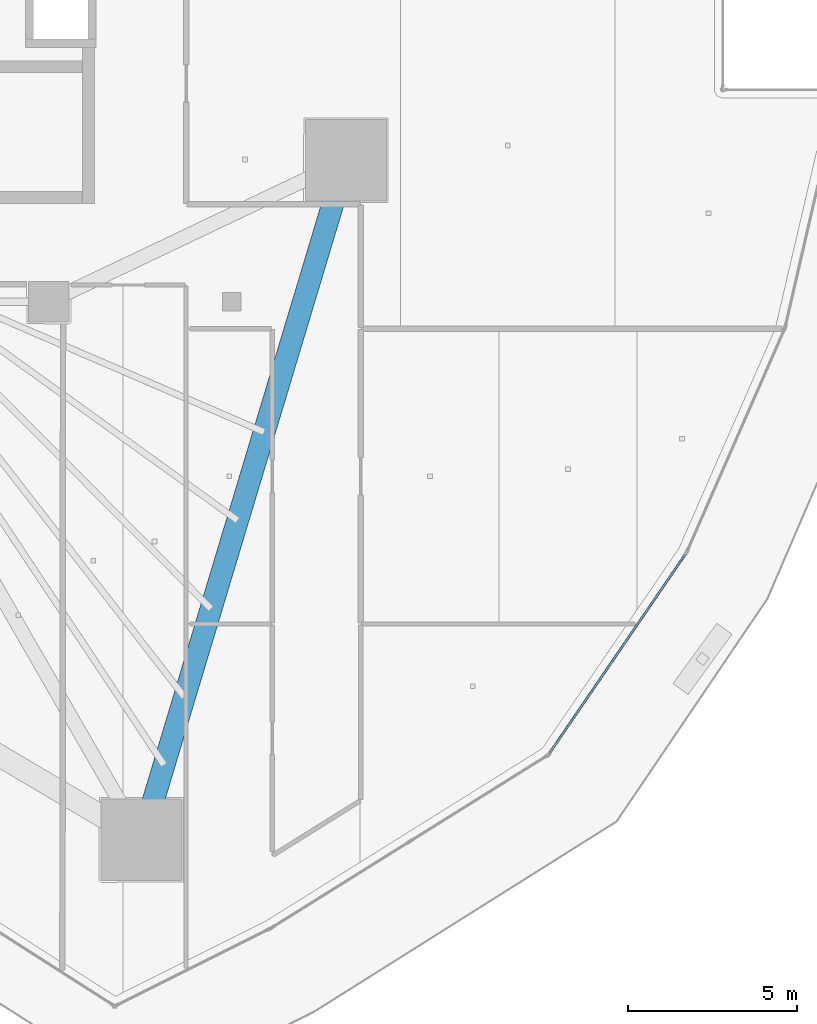
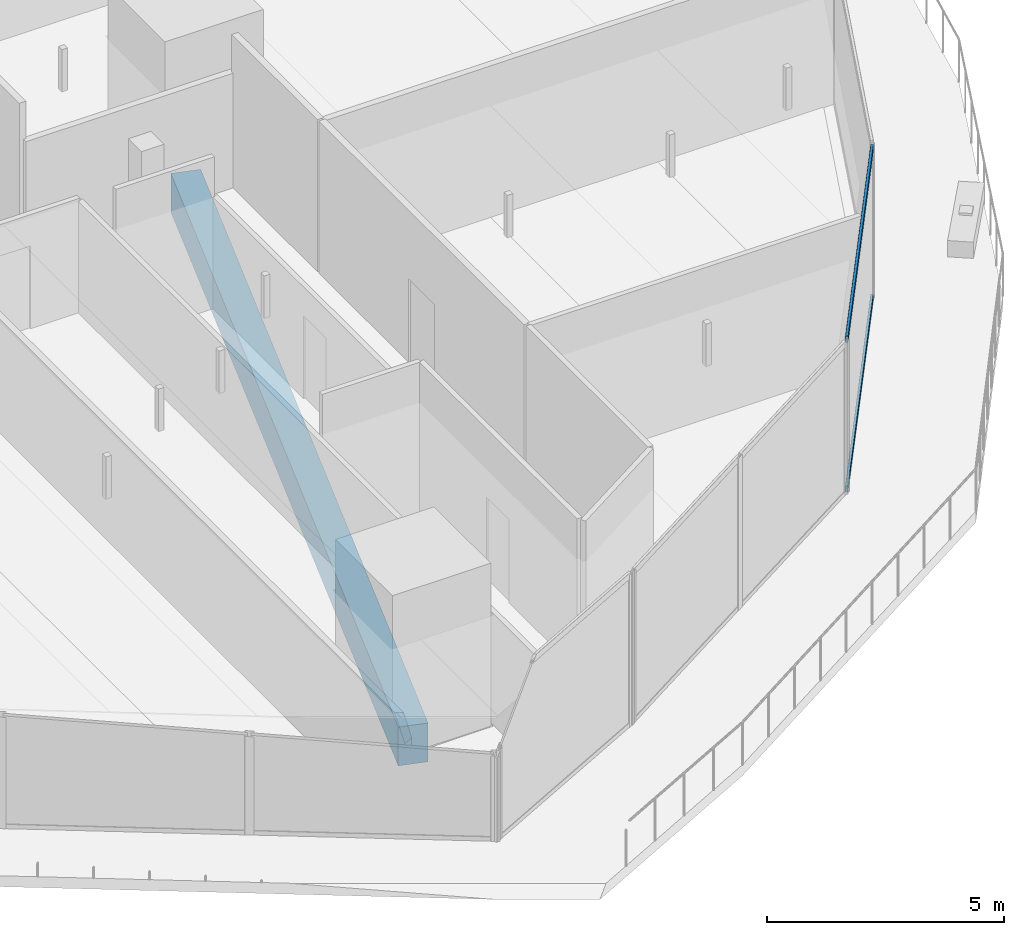
# One storey, part 9 of 44: 2 members, 1 beam, 1 element without a shape of its own.
"""IFC4 building model written with IfcOpenShell, lengths in metres."""

import ifcopenshell
import ifcopenshell.guid

model = None  # the IFC model being written
_history = None  # IfcOwnerHistory: only IFC2X3 demands one
_inside = {}  # id of a spatial element -> (the spatial element, [elements in it])
_under = {}  # id of a project, library or spatial element -> (it, [spatial elements below it])
_declared = {}  # id of a project -> (the project, [libraries it declares])
_typed = {}  # id of a type object -> (the type object, [elements of that type])
_made_of = {}  # id of a material, layer set ... -> (it, [elements and type objects made of it])


def new_model(schema):
    """Start an empty IFC model of exactly this schema.

    Asked for "IFC4X3", IfcOpenShell would pick the latest addendum, in which some entities
    have other attributes; the version numbers below select the first issue.
    IFC2X3 requires an IfcOwnerHistory on every rooted entity: one is made here for all.
    """
    global model, _history
    if schema == "IFC4X3":
        model = ifcopenshell.file(schema_version=(4, 3, 0, 0))
    else:
        model = ifcopenshell.file(schema=schema)
    _inside.clear()
    _under.clear()
    _declared.clear()
    _typed.clear()
    _made_of.clear()
    _history = None
    if model.schema == "IFC2X3":
        org = make("IfcOrganization", Name="unknown")
        user = make(
            "IfcPersonAndOrganization",
            ThePerson=make("IfcPerson", FamilyName="unknown"),
            TheOrganization=org,
        )
        app = make(
            "IfcApplication",
            ApplicationDeveloper=org,
            Version="unknown",
            ApplicationFullName="unknown",
            ApplicationIdentifier="unknown",
        )
        _history = make(
            "IfcOwnerHistory",
            OwningUser=user,
            OwningApplication=app,
            ChangeAction="ADDED",
            CreationDate=0,
        )
    return model


def make(cls, **values):
    """One entity of the class cls with the attributes given. An attribute that is None is left unset."""
    return model.create_entity(
        cls, **{name: value for name, value in values.items() if value is not None}
    )


def rooted(cls, **values):
    """An entity with a GlobalId (a new one), such as an element, a storey or a relation."""
    return make(cls, GlobalId=ifcopenshell.guid.new(), OwnerHistory=_history, **values)


def si_unit(unit_type, name, prefix=None):
    """IfcSIUnit, for example si_unit("LENGTHUNIT", "METRE", prefix="MILLI")."""
    return make("IfcSIUnit", UnitType=unit_type, Prefix=prefix, Name=name)


def assignment(units):
    """IfcUnitAssignment: the units of a project."""
    return None if units is None else make("IfcUnitAssignment", Units=units)


def point(xyz):
    """IfcCartesianPoint."""
    return None if xyz is None else make("IfcCartesianPoint", Coordinates=xyz)


def direction(xyz):
    """IfcDirection."""
    return None if xyz is None else make("IfcDirection", DirectionRatios=xyz)


def frame(location, z_axis=None, x_axis=None):
    """IfcAxis2Placement3D, a coordinate frame: its origin and axes. An axis left out is left unset."""
    return make(
        "IfcAxis2Placement3D",
        Location=point(location),
        Axis=direction(z_axis),
        RefDirection=direction(x_axis),
    )


def frame_2d(location, x_axis=None):
    """IfcAxis2Placement2D, a coordinate frame in the plane: its origin and x axis."""
    return make(
        "IfcAxis2Placement2D", Location=point(location), RefDirection=direction(x_axis)
    )


def origin():
    """The frame at (0, 0, 0) with its axes left unset."""
    return frame((0.0, 0.0, 0.0))


def origin_2d():
    """The frame at (0, 0) in the plane with its x axis left unset."""
    return frame_2d((0.0, 0.0))


def place(relative_to, where):
    """IfcLocalPlacement: puts the frame where relative to a parent placement (None: the world)."""
    return make(
        "IfcLocalPlacement", PlacementRelTo=relative_to, RelativePlacement=where
    )


def context(
    kind, dimensions, precision=None, world=None, true_north=None, identifier=None
):
    """IfcGeometricRepresentationContext, for example the 3D "Model" context."""
    return make(
        "IfcGeometricRepresentationContext",
        ContextIdentifier=identifier,
        ContextType=kind,
        CoordinateSpaceDimension=dimensions,
        Precision=precision,
        WorldCoordinateSystem=world,
        TrueNorth=true_north,
    )


def subcontext(parent, identifier, kind, view, scale=None):
    """IfcGeometricRepresentationSubContext, for example "Body" below "Model"."""
    return make(
        "IfcGeometricRepresentationSubContext",
        ContextIdentifier=identifier,
        ContextType=kind,
        ParentContext=parent,
        TargetScale=scale,
        TargetView=view,
    )


def project(units=None, contexts=None):
    """IfcProject with its units and contexts."""
    return rooted(
        "IfcProject",
        Name="project",
        RepresentationContexts=contexts,
        UnitsInContext=assignment(units),
    )


def spatial(cls, under=None, at=None, **own):
    """A site, building, storey or space (cls), placed at a placement, below another one or the project."""
    s = rooted(cls, ObjectPlacement=at, **own)
    if under is not None:
        _under.setdefault(under.id(), (under, []))[1].append(s)
    return s


def profile(cls, at=None, kind="AREA", **sizes):
    """A parametric profile (cls). Its sizes go by their IFC names, for example OverallWidth=200.0."""
    return make(cls, ProfileType=kind, Position=at, **sizes)


def rectangle(**sizes):
    """IfcRectangleProfileDef."""
    return profile("IfcRectangleProfileDef", **sizes)


def hollow_rectangle(**sizes):
    """IfcRectangleHollowProfileDef."""
    return profile("IfcRectangleHollowProfileDef", **sizes)


def extrude(swept, where, along, depth):
    """IfcExtrudedAreaSolid: the profile swept, set in the frame where, extruded along a direction by depth."""
    return make(
        "IfcExtrudedAreaSolid",
        SweptArea=swept,
        Position=where,
        ExtrudedDirection=direction(along),
        Depth=depth,
    )


def shape(context_of_items, identifier, shape_type, items):
    """IfcShapeRepresentation: the items that make up one representation, for example the "Body"."""
    return make(
        "IfcShapeRepresentation",
        ContextOfItems=context_of_items,
        RepresentationIdentifier=identifier,
        RepresentationType=shape_type,
        Items=items,
    )


def material(Name=None, Category=None):
    """IfcMaterial."""
    return make("IfcMaterial", Name=Name, Category=Category)


def layer(
    of_material, thickness, ventilated=None, Name=None, Category=None, Priority=None
):
    """IfcMaterialLayer: one layer of a wall or slab, of a material (None: an air gap)."""
    return make(
        "IfcMaterialLayer",
        Material=of_material,
        LayerThickness=thickness,
        IsVentilated=ventilated,
        Name=Name,
        Category=Category,
        Priority=Priority,
    )


def layer_set(layers, Name=None):
    """IfcMaterialLayerSet."""
    return make("IfcMaterialLayerSet", MaterialLayers=layers, LayerSetName=Name)


def material_profile(
    of_material, cross_section, Name=None, Category=None, Priority=None
):
    """IfcMaterialProfile: a cross section and its material."""
    return make(
        "IfcMaterialProfile",
        Name=Name,
        Material=of_material,
        Profile=cross_section,
        Priority=Priority,
        Category=Category,
    )


def profile_set(profiles, Name=None, composite=None):
    """IfcMaterialProfileSet."""
    return make(
        "IfcMaterialProfileSet",
        Name=Name,
        MaterialProfiles=profiles,
        CompositeProfile=composite,
    )


def made_of(thing, what):
    """Note that an element or type object is made of a material, layer set ...; save() writes the relation."""
    if what is not None:
        _made_of.setdefault(what.id(), (what, []))[1].append(thing)
    return thing


def type_object(cls, material=None, **own):
    """A type object (cls), such as IfcWallType, which elements share."""
    return made_of(rooted(cls, **own), material)


def element(
    cls,
    number,
    at=None,
    inside=None,
    cuts=None,
    type_object=None,
    material=None,
    context=None,
    identifier="Body",
    shape_type=None,
    held_by="IfcProductDefinitionShape",
    body=None,
    shapes=None,
    **own,
):
    """One element of the class cls, such as IfcWall. Its Tag is "e" and its number.

    at: its placement. inside: the storey or other place that contains it. cuts: it is an
    opening in that element (IfcRelVoidsElement). A single representation is given by context,
    identifier, shape_type and body (its items); several are given by shapes. held_by: the class
    of the entity that holds the representations. save() writes the other relations.
    """
    e = rooted(cls, Tag="e%d" % number, ObjectPlacement=at, **own)
    if body is not None:
        shapes = [shape(context, identifier, shape_type, body)]
    if shapes is not None:
        e.Representation = make(held_by, Representations=shapes)
    if inside is not None:
        _inside.setdefault(inside.id(), (inside, []))[1].append(e)
    if cuts is not None:
        rooted(
            "IfcRelVoidsElement", RelatingBuildingElement=cuts, RelatedOpeningElement=e
        )
    if type_object is not None:
        _typed.setdefault(type_object.id(), (type_object, []))[1].append(e)
    return made_of(e, material)


def aggregate(whole, parts):
    """IfcRelAggregates: a whole, such as a stair, and the parts it consists of."""
    return rooted("IfcRelAggregates", RelatingObject=whole, RelatedObjects=parts)


def save(model, path):
    """Write the relations noted so far, then the file.

    IfcRelAggregates (storeys below a building ...), IfcRelContainedInSpatialStructure (elements
    in a storey), IfcRelDefinesByType, IfcRelAssociatesMaterial and IfcRelDeclares: one each for
    every whole, place, type object, material and project.
    """
    for whole, parts in _under.values():
        aggregate(whole, parts)
    for where, things in _inside.values():
        rooted(
            "IfcRelContainedInSpatialStructure",
            RelatedElements=things,
            RelatingStructure=where,
        )
    for kind, things in _typed.values():
        rooted("IfcRelDefinesByType", RelatedObjects=things, RelatingType=kind)
    for what, things in _made_of.values():
        rooted("IfcRelAssociatesMaterial", RelatedObjects=things, RelatingMaterial=what)
    for by, libraries in _declared.values():
        rooted("IfcRelDeclares", RelatingContext=by, RelatedDefinitions=libraries)
    model.write(path)


model = new_model("IFC4")

# Units and contexts
model_context = context("Model", 3, precision=1e-05, world=origin(), true_north=direction((0.0, 1.0)))
body_context = subcontext(model_context, "Body", "Model", "MODEL_VIEW")
ifc_project = project(units=[si_unit("LENGTHUNIT", "METRE"), si_unit("AREAUNIT", "SQUARE_METRE"), si_unit("VOLUMEUNIT", "CUBIC_METRE"), si_unit("PLANEANGLEUNIT", "RADIAN"), si_unit("MASSUNIT", "GRAM", prefix="KILO")], contexts=[model_context])

# Site, building, storey
site_placement = place(None, origin())
site = spatial("IfcSite", under=ifc_project, at=site_placement, CompositionType="ELEMENT")
building_placement = place(site_placement, origin())
building = spatial("IfcBuilding", under=site, at=building_placement, Name="Qorvath Tower", CompositionType="ELEMENT")
storey_placement = place(building_placement, frame((0.0, 0.0, 78.60009765625)))
storey = spatial("IfcBuildingStorey", under=building, at=storey_placement, Name="L17", CompositionType="ELEMENT", Elevation=78.60009765625)

# Beam
ifc_material_1 = material(Name="Concrete C50/60", Category="concrete")
ifc_material_profile_1 = material_profile(ifc_material_1, rectangle(XDim=0.64990234375, YDim=1.0, at=origin_2d()), Name="RCB 1000x650")
ifc_profile_set_1 = profile_set([ifc_material_profile_1], Name="Concrete C50/60")
beam_type = type_object("IfcBeamType", Name="BM-RCB1", PredefinedType="SPANDREL", material=ifc_profile_set_1)
beam_placement = place(storey_placement, frame((-14.46435546875, -27.330810546875, -0.780029296875), z_axis=(0.288118908799, 0.957594639914, 0.0), x_axis=(-0.957594639914, 0.288118908799, 0.0)))
element("IfcBeam", 1, at=beam_placement, inside=storey, type_object=beam_type, Name="Perimeter Loggia Frame Beam MC3-MC4 L17", PredefinedType="SPANDREL", context=body_context, shape_type="SweptSolid", body=[
    extrude(rectangle(XDim=0.64990234375, YDim=1.0, at=origin_2d()), origin(), (0.0, 0.0, 1.0), 20.942626953125),
])

# Curtain wall, members
ifc_material_2 = material(Name="Anodised aluminium and triple low-E glass", Category="aluminium")
ifc_layer = layer(ifc_material_2, 0.179931640625)
ifc_layer_set = layer_set([ifc_layer], Name="CW-SYS-5")
curtain_wall_type = type_object("IfcCurtainWallType", Name="CW-SYS-5", PredefinedType="NOTDEFINED", material=ifc_layer_set)
curtain_wall_placement = place(storey_placement, origin())
curtain_wall = element("IfcCurtainWall", 2, at=curtain_wall_placement, inside=storey, type_object=curtain_wall_type, Name="Curtain Wall CW-5 CW-T-L17-9.1", PredefinedType="NOTDEFINED")
ifc_material_3 = material(Name="Anodised aluminium 6063-T6", Category="aluminium")
ifc_material_profile_2 = material_profile(ifc_material_3, hollow_rectangle(XDim=0.06494140625, YDim=0.159912109375, WallThickness=0.00341796875, InnerFilletRadius=0.00341796875, OuterFilletRadius=0.007080078125, at=origin_2d()), Name="CWT 160x65")
ifc_profile_set_2 = profile_set([ifc_material_profile_2], Name="Anodised aluminium 6063-T6")
member_type = type_object("IfcMemberType", Name="CWT-160", PredefinedType="USERDEFINED", material=ifc_profile_set_2)
member_1_placement = place(storey_placement, frame((-2.4140625, -24.765380859375, 0.032470703125), z_axis=(0.564020127161, 0.825761040591, 0.0), x_axis=(-0.825761040591, 0.564020127161, 0.0)))
member_1 = element("IfcMember", 3, at=member_1_placement, type_object=member_type, Name="CW-5 transom 1.1", ObjectType="TRANSOM", PredefinedType="USERDEFINED", context=body_context, shape_type="SweptSolid", body=[
    extrude(hollow_rectangle(XDim=0.06494140625, YDim=0.159912109375, WallThickness=0.00341796875, InnerFilletRadius=0.00341796875, OuterFilletRadius=0.007080078125, at=origin_2d()), origin(), (0.0, 0.0, 1.0), 7.08251953125),
])
member_2_placement = place(storey_placement, frame((-2.4140625, -24.765380859375, 3.887451171875), z_axis=(0.564020127161, 0.825761040591, 0.0), x_axis=(-0.825761040591, 0.564020127161, 0.0)))
member_2 = element("IfcMember", 4, at=member_2_placement, type_object=member_type, Name="CW-5 transom 1.2", ObjectType="TRANSOM", PredefinedType="USERDEFINED", context=body_context, shape_type="SweptSolid", body=[
    extrude(hollow_rectangle(XDim=0.06494140625, YDim=0.159912109375, WallThickness=0.00341796875, InnerFilletRadius=0.00341796875, OuterFilletRadius=0.007080078125, at=origin_2d()), origin(), (0.0, 0.0, 1.0), 7.08251953125),
])
aggregate(curtain_wall, [member_1, member_2])

save(model, "model.ifc")
